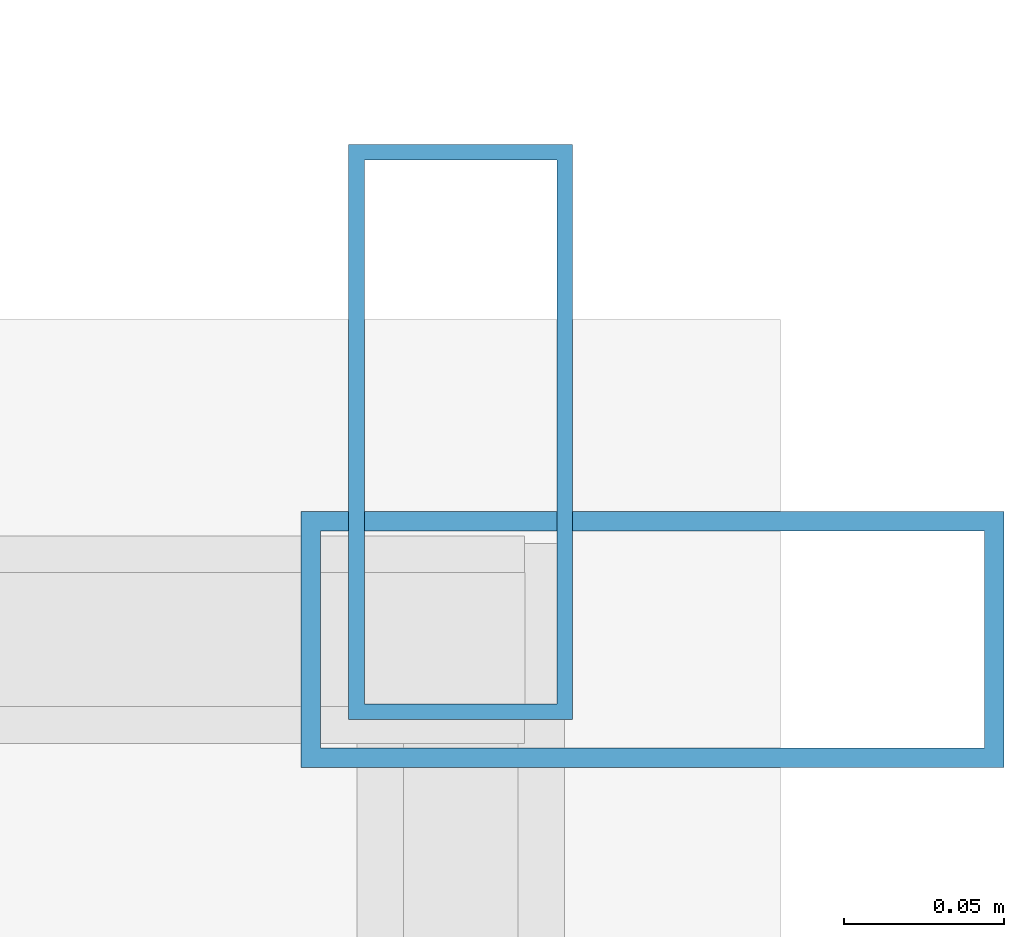
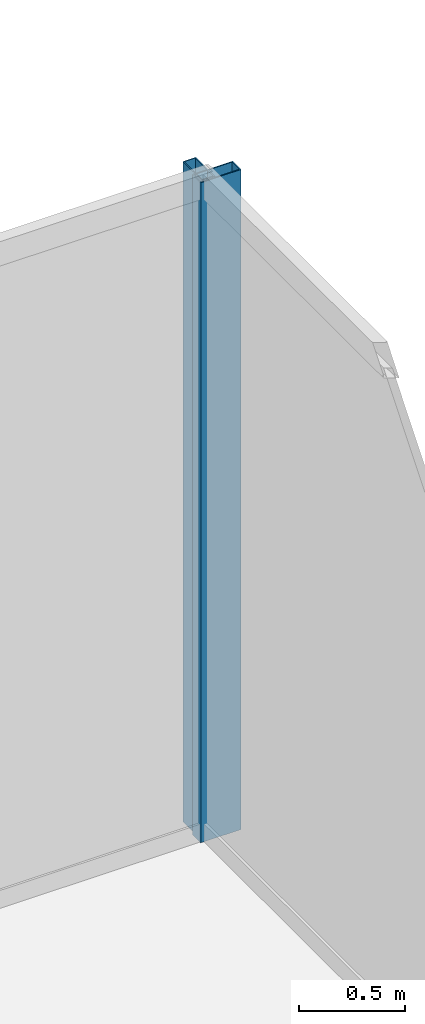
# One storey, part 26 of 33: 2 members, 2 elements without a shape of their own.
"""IFC4 building model written with IfcOpenShell, lengths in metres."""

from ifc_helpers import new_model, si_unit, direction, frame, origin, origin_2d, place, context, subcontext, project, spatial, hollow_rectangle, extrude, source, transform, mapped, material, layer, layer_set, material_profile, profile_set, type_object, type_shapes, element, aggregate, save


model = new_model("IFC4")

# Units and contexts
model_context = context("Model", 3, precision=1e-05, world=origin(), true_north=direction((0.0, 1.0)))
body_context = subcontext(model_context, "Body", "Model", "MODEL_VIEW")
ifc_project = project(units=[si_unit("LENGTHUNIT", "METRE"), si_unit("AREAUNIT", "SQUARE_METRE"), si_unit("VOLUMEUNIT", "CUBIC_METRE"), si_unit("PLANEANGLEUNIT", "RADIAN"), si_unit("MASSUNIT", "GRAM", prefix="KILO")], contexts=[model_context])

# Site, building, storey
site_placement = place(None, origin())
site = spatial("IfcSite", under=ifc_project, at=site_placement, CompositionType="ELEMENT")
building_placement = place(site_placement, origin())
building = spatial("IfcBuilding", under=site, at=building_placement, Name="Haelvirn Gate Laboratories", CompositionType="ELEMENT")
storey_placement = place(building_placement, frame((0.0, 0.0, 258.800048828125)))
storey = spatial("IfcBuildingStorey", under=building, at=storey_placement, Name="L62", CompositionType="ELEMENT", Elevation=258.800048828125)

# Curtain wall, member
ifc_material_1 = material(Name="Anodised bronze unitised aluminium & triple low-E glass", Category="aluminium")
ifc_layer_1 = layer(ifc_material_1, 0.176025390625, Name="CW-SYS-4")
ifc_layer_set_1 = layer_set([ifc_layer_1], Name="Anodised bronze unitised aluminium & triple low-E glass")
curtain_wall_type_1 = type_object("IfcCurtainWallType", Name="CW-SYS-4", PredefinedType="NOTDEFINED", material=ifc_layer_set_1)
curtain_wall_1_placement = place(storey_placement, origin())
curtain_wall_1 = element("IfcCurtainWall", 1, at=curtain_wall_1_placement, inside=storey, type_object=curtain_wall_type_1, Name="L62 Unitised Curtain Wall CW-L62-P0-E07", PredefinedType="NOTDEFINED")
ifc_material_2 = material(Name="Extruded aluminium 6063-T6 (anodised bronze)", Category="aluminium")
ifc_material_profile_1 = material_profile(ifc_material_2, hollow_rectangle(XDim=0.070068359375, YDim=0.179931640625, WallThickness=0.0048828125, at=origin_2d()), Name="CWM-180x70x5")
ifc_profile_set_1 = profile_set([ifc_material_profile_1], Name="Extruded aluminium 6063-T6 (anodised bronze)")
member_type_1 = type_object("IfcMemberType", Name="CWM-T180", PredefinedType="MULLION", material=ifc_profile_set_1)
shared_shape_1 = source(origin(), body_context, "Body", "SweptSolid", [
    extrude(hollow_rectangle(XDim=0.070068359375, YDim=0.179931640625, WallThickness=0.0048828125, at=origin_2d()), origin(), (0.0, 0.0, 1.0), 3.800048828125),
])
type_shapes(member_type_1, [shared_shape_1])
member_1_placement = place(storey_placement, frame((70.699951171875, 42.764892578125, 0.0), z_axis=(0.0, 0.0, 1.0), x_axis=(-1.0, 0.0, 0.0)))
member_1 = element("IfcMember", 2, at=member_1_placement, type_object=member_type_1, Name="CW4 mullion 3", PredefinedType="MULLION", context=body_context, shape_type="MappedRepresentation", body=[
    mapped(shared_shape_1, transform((0.0, 0.0, 0.0), scale=1.0)),
])
aggregate(curtain_wall_1, [member_1])

ifc_layer_2 = layer(ifc_material_1, 0.181884765625, Name="CW-SYS-5")
ifc_layer_set_2 = layer_set([ifc_layer_2], Name="Anodised bronze unitised aluminium & triple low-E glass")
curtain_wall_type_2 = type_object("IfcCurtainWallType", Name="CW-SYS-5", PredefinedType="NOTDEFINED", material=ifc_layer_set_2)
curtain_wall_2_placement = place(storey_placement, origin())
curtain_wall_2 = element("IfcCurtainWall", 3, at=curtain_wall_2_placement, inside=storey, type_object=curtain_wall_type_2, Name="L62 Unitised Curtain Wall CW-L62-P0-E08-1", PredefinedType="NOTDEFINED")
ifc_material_profile_2 = material_profile(ifc_material_2, hollow_rectangle(XDim=0.080078125, YDim=0.219970703125, WallThickness=0.006103515625, at=origin_2d()), Name="CWM-220x80x6")
ifc_profile_set_2 = profile_set([ifc_material_profile_2], Name="Extruded aluminium 6063-T6 (anodised bronze)")
member_type_2 = type_object("IfcMemberType", Name="CWM-T220", PredefinedType="MULLION", material=ifc_profile_set_2)
shared_shape_2 = source(origin(), body_context, "Body", "SweptSolid", [
    extrude(hollow_rectangle(XDim=0.080078125, YDim=0.219970703125, WallThickness=0.006103515625, at=origin_2d()), origin(), (0.0, 0.0, 1.0), 3.800048828125),
])
type_shapes(member_type_2, [shared_shape_2])
member_2_placement = place(storey_placement, frame((70.760009765625, 42.699951171875, 0.0), z_axis=(0.0, 0.0, 1.0), x_axis=(0.0, 1.0, 0.0)))
member_2 = element("IfcMember", 4, at=member_2_placement, type_object=member_type_2, Name="CW5 mullion 2", PredefinedType="MULLION", context=body_context, shape_type="MappedRepresentation", body=[
    mapped(shared_shape_2, transform((0.0, 0.0, 0.0), scale=1.0)),
])
aggregate(curtain_wall_2, [member_2])

save(model, "model.ifc")
